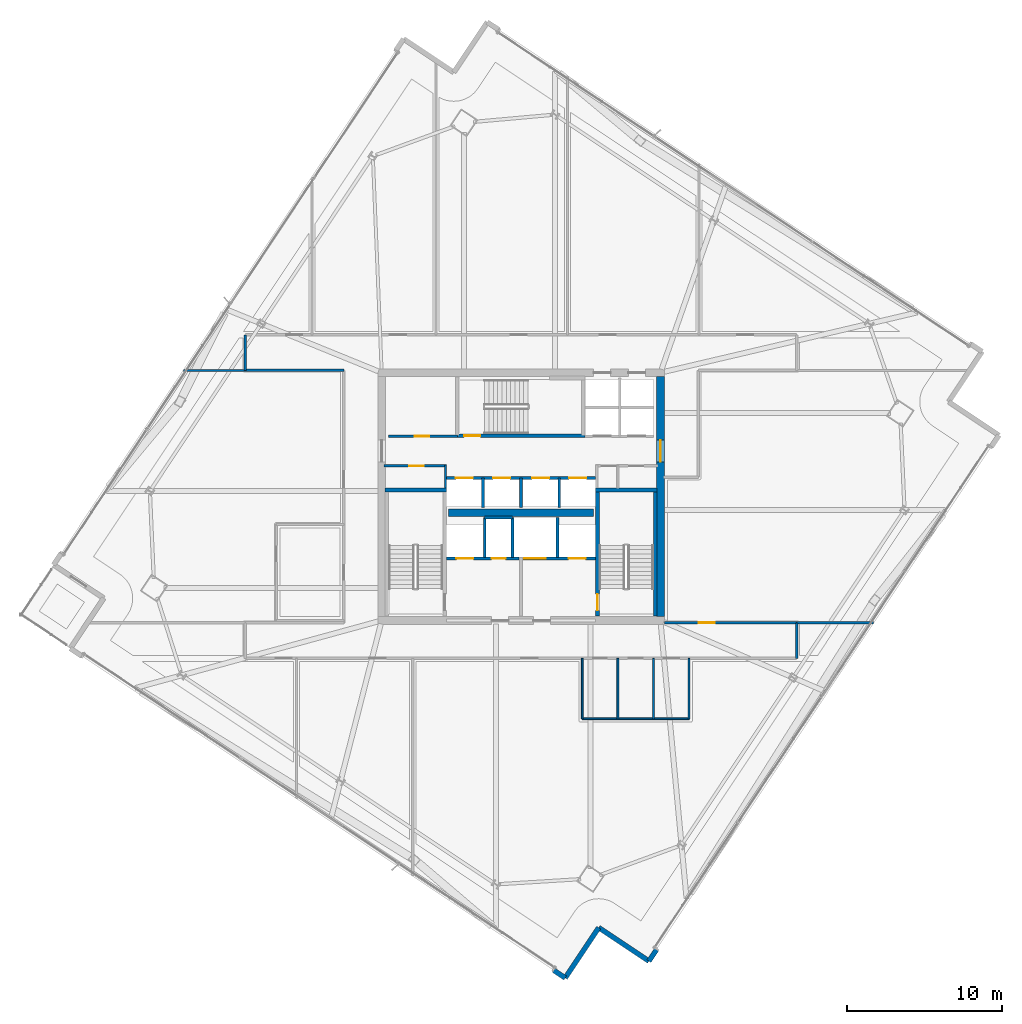
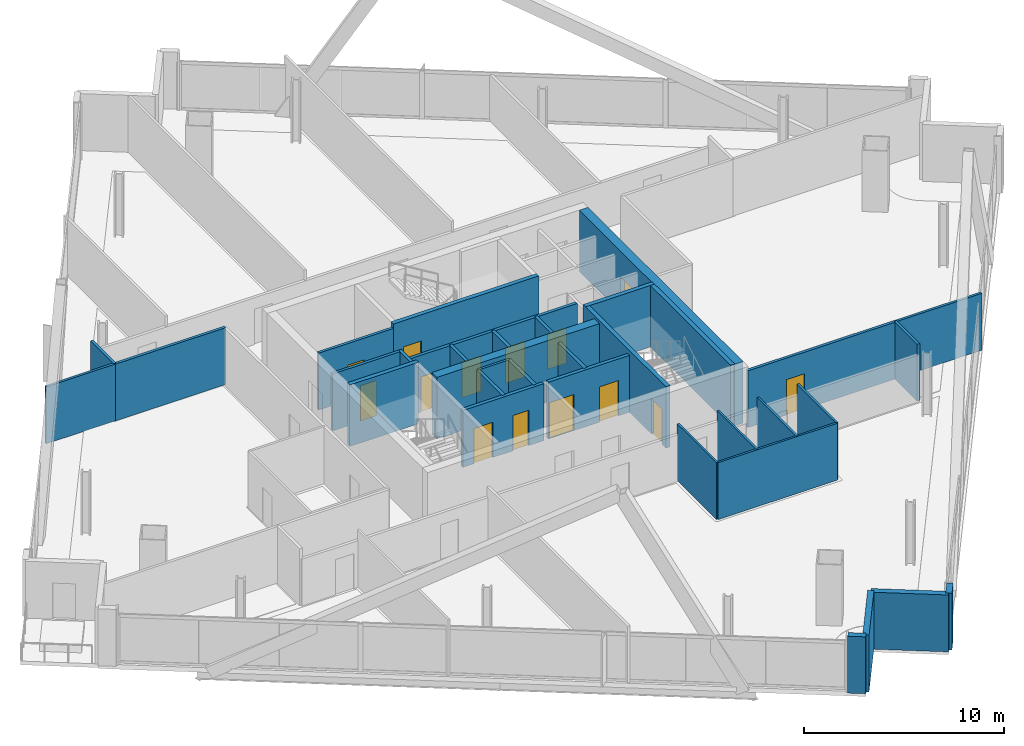
# One storey, part 25 of 32: 35 walls, 14 doors, 14 openings.
"""IFC4 building model written with IfcOpenShell, lengths in metres."""

from ifc_helpers import new_model, si_unit, direction, frame, frame_2d, origin, place, context, subcontext, project, spatial, rectangle, extrude, material, layer, layer_set, type_object, element, fill, save


model = new_model("IFC4")

# Units and contexts
model_context = context("Model", 3, precision=1e-05, world=origin(), true_north=direction((0.0, 1.0)))
body_context = subcontext(model_context, "Body", "Model", "MODEL_VIEW")
ifc_project = project(units=[si_unit("LENGTHUNIT", "METRE"), si_unit("AREAUNIT", "SQUARE_METRE"), si_unit("VOLUMEUNIT", "CUBIC_METRE"), si_unit("PLANEANGLEUNIT", "RADIAN"), si_unit("MASSUNIT", "GRAM", prefix="KILO")], contexts=[model_context])

# Site, building, storey
site_placement = place(None, origin())
site = spatial("IfcSite", under=ifc_project, at=site_placement, CompositionType="ELEMENT")
building_placement = place(site_placement, origin())
building = spatial("IfcBuilding", under=site, at=building_placement, Name="Haldenkirk Collegiate Tower", CompositionType="ELEMENT")
storey_placement = place(building_placement, frame((0.0, 0.0, 217.199951171875)))
storey = spatial("IfcBuildingStorey", under=building, at=storey_placement, Name="L54", CompositionType="ELEMENT", Elevation=217.199951171875)

# Wall, opening, door
ifc_material_1 = material(Name="Concrete f'c 55 MPa", Category="concrete")
ifc_layer_1 = layer(ifc_material_1, 0.5)
ifc_layer_set_1 = layer_set([ifc_layer_1], Name="Concrete f'c 55 MPa")
wall_type_1 = type_object("IfcWallType", Name="WL-CORE-500", PredefinedType="SHEAR", material=ifc_layer_set_1)
wall_1_placement = place(storey_placement, frame((45.0, 18.25, 0.0), z_axis=(0.0, 0.0, 1.0), x_axis=(0.0, 1.0, 0.0)))
wall_1 = element("IfcWall", 1, at=wall_1_placement, inside=storey, type_object=wall_type_1, Name="L54 central core shear wall E", PredefinedType="SHEAR", context=body_context, shape_type="SweptSolid", body=[
    extrude(rectangle(XDim=15.5, YDim=0.5, at=frame_2d((7.75, 0.0))), origin(), (0.0, 0.0, 1.0), 3.75),
])
opening_1_placement = place(wall_1_placement, frame((9.989990234375, 0.0, 0.0)))
opening_1 = element("IfcOpeningElement", 2, at=opening_1_placement, cuts=wall_1, Name="Opening D-03", PredefinedType="OPENING", context=body_context, shape_type="SweptSolid", body=[
    extrude(rectangle(XDim=1.39990234375, YDim=2.199951171875, at=frame_2d((0.699951171875, 1.10009765625))), frame((0.0, 0.260009765625, 0.0), z_axis=(0.0, -1.0, 0.0), x_axis=(1.0, 0.0, 0.0)), (0.0, 0.0, 1.0), 0.52001953125),
])
ifc_material_2 = material(Name="Galvanized fire-rated hollow steel door", Category="steel")
ifc_layer_2 = layer(ifc_material_2, 0.06005859375)
ifc_layer_set_2 = layer_set([ifc_layer_2], Name="Galvanized fire-rated hollow steel door")
door_type_1 = type_object("IfcDoorType", Name="DR-LOBBY-FD90-1400", OperationType="NOTDEFINED", PredefinedType="DOOR", material=ifc_layer_set_2)
door_1_placement = place(opening_1_placement, origin())
door_1 = element("IfcDoor", 3, at=door_1_placement, inside=storey, type_object=door_type_1, Name="L54 east lift lobby portal", OperationType="DOUBLE_DOOR_SINGLE_SWING", OverallHeight=2.199951171875, OverallWidth=1.39990234375, PredefinedType="DOOR", context=body_context, shape_type="SweptSolid", body=[
    extrude(rectangle(XDim=1.39990234375, YDim=2.199951171875, at=frame_2d((0.699951171875, 1.10009765625))), frame((0.0, 0.02490234375, 0.0), z_axis=(0.0, -1.0, 0.0), x_axis=(1.0, 0.0, 0.0)), (0.0, 0.0, 1.0), 0.050048828125),
])
fill(opening_1, door_1)

# Walls
wall_2_placement = place(storey_placement, frame((31.31005859375, 24.949951171875, 0.0), z_axis=(0.0, 0.0, 1.0), x_axis=(1.0, 0.0, 0.0)))
element("IfcWall", 4, at=wall_2_placement, inside=storey, type_object=wall_type_1, Name="L54 central core spine shear wall", PredefinedType="SHEAR", context=body_context, shape_type="SweptSolid", body=[
    extrude(rectangle(XDim=9.3798828125, YDim=0.5, at=frame_2d((4.68994140625, 0.0))), origin(), (0.0, 0.0, 1.0), 3.75),
])
ifc_material_3 = material(Name="Precast concrete f'c 40 MPa", Category="concrete")
ifc_layer_3 = layer(ifc_material_3, 0.320068359375)
ifc_layer_set_3 = layer_set([ifc_layer_3], Name="Precast concrete f'c 40 MPa")
wall_type_2 = type_object("IfcWallType", Name="WL-EXT-TWR-320", PredefinedType="STANDARD", material=ifc_layer_set_3)
for number, where, z_axis, x_axis, name in (
    (5, (44.757080078125, -3.25439453125, 0.0), (0.0, 0.0, 1.0), (-0.554261868623, -0.832342346028, 0.0), "L54 precast corner pier SR"),
    (6, (38.8505859375, -5.089111328125, 0.0), (0.0, 0.0, 1.0), (-0.832342346028, 0.554261868623, 0.0), "L54 precast corner pier WL"),
):
    element("IfcWall", number, at=place(storey_placement, frame(where, z_axis=z_axis, x_axis=x_axis)), inside=storey, type_object=wall_type_2, Name=name, PredefinedType="STANDARD", context=body_context, shape_type="SweptSolid", body=[
        extrude(rectangle(XDim=0.89990234375, YDim=0.320068359375, at=frame_2d((0.449951171875, 0.0))), origin(), (0.0, 0.0, 1.0), 3.469970703125),
    ])
wall_3_placement = place(storey_placement, frame((41.01171875, -1.842529296875, 0.0), z_axis=(0.0, 0.0, 1.0), x_axis=(-0.554122229834, -0.832435315447, 0.0)))
element("IfcWall", 7, at=wall_3_placement, inside=storey, type_object=wall_type_2, Name="L54 bronze precast notch wall 11", PredefinedType="STANDARD", context=body_context, shape_type="SweptSolid", body=[
    extrude(rectangle(XDim=3.900146484375, YDim=0.320068359375, at=frame_2d((1.9501953125, 0.0))), origin(), (0.0, 0.0, 1.0), 3.469970703125),
])
wall_4_placement = place(storey_placement, frame((44.25830078125, -4.00341796875, 0.0), z_axis=(0.0, 0.0, 1.0), x_axis=(-0.832464190202, 0.554078850013, 0.0)))
element("IfcWall", 8, at=wall_4_placement, inside=storey, type_object=wall_type_2, Name="L54 bronze precast notch wall 12", PredefinedType="STANDARD", context=body_context, shape_type="SweptSolid", body=[
    extrude(rectangle(XDim=3.89990234375, YDim=0.320068359375, at=frame_2d((1.949951171875, 0.0))), origin(), (0.0, 0.0, 1.0), 3.469970703125),
])

# Wall, opening, door
ifc_material_4 = material(Name="Acoustic fire-rated gypsum partition", Category="concrete")
ifc_layer_4 = layer(ifc_material_4, 0.159912109375)
ifc_layer_set_4 = layer_set([ifc_layer_4], Name="Acoustic fire-rated gypsum partition")
wall_type_3 = type_object("IfcWallType", Name="WL-INT-CORR-160", PredefinedType="PARTITIONING", material=ifc_layer_set_4)
wall_5_placement = place(storey_placement, frame((27.14990234375, 27.97998046875, 0.0), z_axis=(0.0, 0.0, 1.0), x_axis=(1.0, 0.0, 0.0)))
wall_5 = element("IfcWall", 9, at=wall_5_placement, inside=storey, type_object=wall_type_3, Name="L54 interior partition IW-L54-VCSW-N", PredefinedType="PARTITIONING", context=body_context, shape_type="SweptSolid", body=[
    extrude(rectangle(XDim=4.050048828125, YDim=0.159912109375, at=frame_2d((2.02490234375, 0.0))), origin(), (0.0, 0.0, 1.0), 3.469970703125),
])
opening_2_placement = place(wall_5_placement, frame((1.625, 0.0, 0.0)))
opening_2 = element("IfcOpeningElement", 10, at=opening_2_placement, cuts=wall_5, Name="Opening D-10", PredefinedType="OPENING", context=body_context, shape_type="SweptSolid", body=[
    extrude(rectangle(XDim=0.949951171875, YDim=2.14990234375, at=frame_2d((0.47509765625, 1.074951171875))), frame((0.0, 0.08984375, 0.0), z_axis=(0.0, -1.0, 0.0), x_axis=(1.0, 0.0, 0.0)), (0.0, 0.0, 1.0), 0.179931640625),
])
ifc_material_5 = material(Name="Solid-core architectural oak fire door", Category="wood")
ifc_layer_5 = layer(ifc_material_5, 0.06005859375)
ifc_layer_set_5 = layer_set([ifc_layer_5], Name="Solid-core architectural oak fire door")
door_type_2 = type_object("IfcDoorType", Name="DR-INT-FD60-950", OperationType="NOTDEFINED", PredefinedType="DOOR", material=ifc_layer_set_5)
door_2_placement = place(opening_2_placement, origin())
door_2 = element("IfcDoor", 11, at=door_2_placement, inside=storey, type_object=door_type_2, Name="L54 core tea pantry door", OperationType="SINGLE_SWING_LEFT", OverallHeight=2.14990234375, OverallWidth=0.949951171875, PredefinedType="DOOR", context=body_context, shape_type="SweptSolid", body=[
    extrude(rectangle(XDim=0.949951171875, YDim=2.14990234375, at=frame_2d((0.47509765625, 1.074951171875))), frame((0.0, 0.02490234375, 0.0), z_axis=(0.0, -1.0, 0.0), x_axis=(1.0, 0.0, 0.0)), (0.0, 0.0, 1.0), 0.050048828125),
])
fill(opening_2, door_2)

# Wall
wall_6_placement = place(storey_placement, frame((31.1201171875, 26.5400390625, 0.0), z_axis=(0.0, 0.0, 1.0), x_axis=(0.0, 1.0, 0.0)))
element("IfcWall", 12, at=wall_6_placement, inside=storey, type_object=wall_type_3, Name="L54 interior partition IW-L54-VCSW-E", PredefinedType="PARTITIONING", context=body_context, shape_type="SweptSolid", body=[
    extrude(rectangle(XDim=1.510009765625, YDim=0.159912109375, at=frame_2d((0.7548828125, 0.0))), origin(), (0.0, 0.0, 1.0), 3.469970703125),
])

# Wall, opening, door
wall_7_placement = place(storey_placement, frame((27.449951171875, 29.89990234375, 0.0), z_axis=(0.0, 0.0, 1.0), x_axis=(1.0, 0.0, 0.0)))
wall_7 = element("IfcWall", 13, at=wall_7_placement, inside=storey, type_object=wall_type_3, Name="L54 interior partition IW-L54-PLS", PredefinedType="PARTITIONING", context=body_context, shape_type="SweptSolid", body=[
    extrude(rectangle(XDim=4.429931640625, YDim=0.159912109375, at=frame_2d((2.21484375, 0.0))), origin(), (0.0, 0.0, 1.0), 3.469970703125),
])
opening_3_placement = place(wall_7_placement, frame((1.675048828125, 0.0, 0.0)))
opening_3 = element("IfcOpeningElement", 14, at=opening_3_placement, cuts=wall_7, Name="Opening D-10", PredefinedType="OPENING", context=body_context, shape_type="SweptSolid", body=[
    extrude(rectangle(XDim=0.949951171875, YDim=2.14990234375, at=frame_2d((0.47509765625, 1.074951171875))), frame((0.0, 0.08984375, 0.0), z_axis=(0.0, -1.0, 0.0), x_axis=(1.0, 0.0, 0.0)), (0.0, 0.0, 1.0), 0.179931640625),
])
door_3_placement = place(opening_3_placement, origin())
door_3 = element("IfcDoor", 15, at=door_3_placement, inside=storey, type_object=door_type_2, Name="L54 archive door", OperationType="SINGLE_SWING_RIGHT", OverallHeight=2.14990234375, OverallWidth=0.949951171875, PredefinedType="DOOR", context=body_context, shape_type="SweptSolid", body=[
    extrude(rectangle(XDim=0.949951171875, YDim=2.14990234375, at=frame_2d((0.47509765625, 1.074951171875))), frame((0.0, 0.02490234375, 0.0), z_axis=(0.0, -1.0, 0.0), x_axis=(1.0, 0.0, 0.0)), (0.0, 0.0, 1.0), 0.050048828125),
])
fill(opening_3, door_3)

wall_8_placement = place(storey_placement, frame((45.25, 17.85009765625, 0.0), z_axis=(0.0, 0.0, 1.0), x_axis=(1.0, 0.0, 0.0)))
wall_8 = element("IfcWall", 16, at=wall_8_placement, inside=storey, type_object=wall_type_3, Name="L54 interior partition IW-L54-CSE", PredefinedType="PARTITIONING", context=body_context, shape_type="SweptSolid", body=[
    extrude(rectangle(XDim=8.550048828125, YDim=0.159912109375, at=frame_2d((4.27490234375, 0.0))), origin(), (0.0, 0.0, 1.0), 3.469970703125),
])
opening_4_placement = place(wall_8_placement, frame((2.2109375, 0.0, 0.0)))
opening_4 = element("IfcOpeningElement", 17, at=opening_4_placement, cuts=wall_8, Name="Opening D-09", PredefinedType="OPENING", context=body_context, shape_type="SweptSolid", body=[
    extrude(rectangle(XDim=1.050048828125, YDim=2.14990234375, at=frame_2d((0.52490234375, 1.074951171875))), frame((0.0, 0.08984375, 0.0), z_axis=(0.0, -1.0, 0.0), x_axis=(1.0, 0.0, 0.0)), (0.0, 0.0, 1.0), 0.179931640625),
])
ifc_layer_6 = layer(ifc_material_5, 0.06005859375)
ifc_layer_set_6 = layer_set([ifc_layer_6], Name="Solid-core architectural oak fire door")
door_type_3 = type_object("IfcDoorType", Name="DR-INT-FD60-1050", OperationType="NOTDEFINED", PredefinedType="DOOR", material=ifc_layer_set_6)
door_4_placement = place(opening_4_placement, origin())
door_4 = element("IfcDoor", 18, at=door_4_placement, inside=storey, type_object=door_type_3, Name="L54 Graduate Seminar Room 10 door", OperationType="SINGLE_SWING_LEFT", OverallHeight=2.14990234375, OverallWidth=1.050048828125, PredefinedType="DOOR", context=body_context, shape_type="SweptSolid", body=[
    extrude(rectangle(XDim=1.050048828125, YDim=2.14990234375, at=frame_2d((0.52490234375, 1.074951171875))), frame((0.0, 0.02490234375, 0.0), z_axis=(0.0, -1.0, 0.0), x_axis=(1.0, 0.0, 0.0)), (0.0, 0.0, 1.0), 0.050048828125),
])
fill(opening_4, door_4)

# Walls
wall_9_placement = place(storey_placement, frame((18.199951171875, 34.14990234375, 0.0), z_axis=(0.0, 0.0, 1.0), x_axis=(1.0, 0.0, 0.0)))
element("IfcWall", 19, at=wall_9_placement, inside=storey, type_object=wall_type_3, Name="L54 interior partition IW-L54-CNW", PredefinedType="PARTITIONING", context=body_context, shape_type="SweptSolid", body=[
    extrude(rectangle(XDim=6.35009765625, YDim=0.159912109375, at=frame_2d((3.175048828125, 0.0))), origin(), (0.0, 0.0, 1.0), 3.469970703125),
])
for number, where, z_axis, x_axis, name in (
    (20, (53.800048828125, 15.550048828125, 0.0), (0.0, 0.0, 1.0), (0.0, 1.0, 0.0), "L54 interior partition IW-L54-CSR"),
    (21, (18.199951171875, 34.14990234375, 0.0), (0.0, 0.0, 1.0), (0.0, 1.0, 0.0), "L54 interior partition IW-L54-CNL"),
):
    element("IfcWall", number, at=place(storey_placement, frame(where, z_axis=z_axis, x_axis=x_axis)), inside=storey, type_object=wall_type_3, Name=name, PredefinedType="PARTITIONING", context=body_context, shape_type="SweptSolid", body=[
        extrude(rectangle(XDim=2.300048828125, YDim=0.159912109375, at=frame_2d((1.14990234375, 0.0))), origin(), (0.0, 0.0, 1.0), 3.469970703125),
    ])
ifc_layer_7 = layer(ifc_material_4, 0.139892578125)
ifc_layer_set_7 = layer_set([ifc_layer_7], Name="Acoustic fire-rated gypsum partition")
wall_type_4 = type_object("IfcWallType", Name="WL-INT-DIV-140", PredefinedType="PARTITIONING", material=ifc_layer_set_7)
wall_10_placement = place(storey_placement, frame((14.203857421875, 34.14990234375, 0.0), z_axis=(0.0, 0.0, 1.0), x_axis=(1.0, 0.0, 0.0)))
element("IfcWall", 22, at=wall_10_placement, inside=storey, type_object=wall_type_4, Name="L54 interior partition IW-L54-BWN", PredefinedType="PARTITIONING", context=body_context, shape_type="SweptSolid", body=[
    extrude(rectangle(XDim=3.99609375, YDim=0.139892578125, at=frame_2d((1.998046875, 0.0))), origin(), (0.0, 0.0, 1.0), 3.469970703125),
])
wall_11_placement = place(storey_placement, frame((53.800048828125, 17.85009765625, 0.0), z_axis=(0.0, 0.0, 1.0), x_axis=(1.0, 0.0, 0.0)))
element("IfcWall", 23, at=wall_11_placement, inside=storey, type_object=wall_type_4, Name="L54 interior partition IW-L54-BES", PredefinedType="PARTITIONING", context=body_context, shape_type="SweptSolid", body=[
    extrude(rectangle(XDim=4.95703125, YDim=0.139892578125, at=frame_2d((2.478515625, 0.0))), origin(), (0.0, 0.0, 1.0), 3.469970703125),
])
ifc_material_6 = material(Name="Fire-rated gypsum shaftboard assembly", Category="concrete")
ifc_layer_8 = layer(ifc_material_6, 0.179931640625)
ifc_layer_set_8 = layer_set([ifc_layer_8], Name="Fire-rated gypsum shaftboard assembly")
wall_type_5 = type_object("IfcWallType", Name="WL-INT-SHAFT-180", PredefinedType="PARTITIONING", material=ifc_layer_set_8)
for number, where, z_axis, x_axis, name in (
    (24, (33.64990234375, 22.050048828125, 0.0), (0.0, 0.0, 1.0), (0.0, 1.0, 0.0), "L54 interior partition IW-L54-FL1E"),
    (25, (35.449951171875, 22.050048828125, 0.0), (0.0, 0.0, 1.0), (0.0, 1.0, 0.0), "L54 interior partition IW-L54-GL1W"),
):
    element("IfcWall", number, at=place(storey_placement, frame(where, z_axis=z_axis, x_axis=x_axis)), inside=storey, type_object=wall_type_5, Name=name, PredefinedType="PARTITIONING", context=body_context, shape_type="SweptSolid", body=[
        extrude(rectangle(XDim=2.599853515625, YDim=0.179931640625, at=frame_2d((1.2998046875, 0.0))), origin(), (0.0, 0.0, 1.0), 3.469970703125),
    ])
wall_12_placement = place(storey_placement, frame((33.64990234375, 24.64990234375, 0.0), z_axis=(0.0, 0.0, 1.0), x_axis=(1.0, 0.0, 0.0)))
element("IfcWall", 26, at=wall_12_placement, inside=storey, type_object=wall_type_5, Name="L54 interior partition IW-L54-RSRN", PredefinedType="PARTITIONING", context=body_context, shape_type="SweptSolid", body=[
    extrude(rectangle(XDim=1.800048828125, YDim=0.179931640625, at=frame_2d((0.89990234375, 0.0))), origin(), (0.0, 0.0, 1.0), 3.469970703125),
])
wall_13_placement = place(storey_placement, frame((38.35009765625, 22.050048828125, 0.0), z_axis=(0.0, 0.0, 1.0), x_axis=(0.0, 1.0, 0.0)))
element("IfcWall", 27, at=wall_13_placement, inside=storey, type_object=wall_type_5, Name="L54 interior partition IW-L54-GL1E", PredefinedType="PARTITIONING", context=body_context, shape_type="SweptSolid", body=[
    extrude(rectangle(XDim=2.599853515625, YDim=0.179931640625, at=frame_2d((1.2998046875, 0.0))), origin(), (0.0, 0.0, 1.0), 3.469970703125),
])

# Wall, openings, doors
wall_14_placement = place(storey_placement, frame((31.199951171875, 27.199951171875, 0.0), z_axis=(0.0, 0.0, 1.0), x_axis=(1.0, 0.0, 0.0)))
wall_14 = element("IfcWall", 28, at=wall_14_placement, inside=storey, type_object=wall_type_5, Name="L54 interior partition IW-L54-PHN", PredefinedType="PARTITIONING", context=body_context, shape_type="SweptSolid", body=[
    extrude(rectangle(XDim=9.60009765625, YDim=0.179931640625, at=frame_2d((4.800048828125, 0.0))), origin(), (0.0, 0.0, 1.0), 3.469970703125),
])
opening_5_placement = place(wall_14_placement, frame((0.590087890625, 0.0, 0.0)))
opening_5 = element("IfcOpeningElement", 29, at=opening_5_placement, cuts=wall_14, Name="Opening LD-11", PredefinedType="OPENING", context=body_context, shape_type="SweptSolid", body=[
    extrude(rectangle(XDim=1.10009765625, YDim=2.14990234375, at=frame_2d((0.550048828125, 1.074951171875))), frame((0.0, 0.099853515625, 0.0), z_axis=(0.0, -1.0, 0.0), x_axis=(1.0, 0.0, 0.0)), (0.0, 0.0, 1.0), 0.199951171875),
])
opening_6_placement = place(wall_14_placement, frame((2.989990234375, 0.0, 0.0)))
opening_6 = element("IfcOpeningElement", 30, at=opening_6_placement, cuts=wall_14, Name="Opening LD-11", PredefinedType="OPENING", context=body_context, shape_type="SweptSolid", body=[
    extrude(rectangle(XDim=1.10009765625, YDim=2.14990234375, at=frame_2d((0.550048828125, 1.074951171875))), frame((0.0, 0.099853515625, 0.0), z_axis=(0.0, -1.0, 0.0), x_axis=(1.0, 0.0, 0.0)), (0.0, 0.0, 1.0), 0.199951171875),
])
opening_7_placement = place(wall_14_placement, frame((5.510009765625, 0.0, 0.0)))
opening_7 = element("IfcOpeningElement", 31, at=opening_7_placement, cuts=wall_14, Name="Opening LD-11", PredefinedType="OPENING", context=body_context, shape_type="SweptSolid", body=[
    extrude(rectangle(XDim=1.10009765625, YDim=2.14990234375, at=frame_2d((0.550048828125, 1.074951171875))), frame((0.0, 0.099853515625, 0.0), z_axis=(0.0, -1.0, 0.0), x_axis=(1.0, 0.0, 0.0)), (0.0, 0.0, 1.0), 0.199951171875),
])
opening_8_placement = place(wall_14_placement, frame((7.909912109375, 0.0, 0.0)))
opening_8 = element("IfcOpeningElement", 32, at=opening_8_placement, cuts=wall_14, Name="Opening LD-11", PredefinedType="OPENING", context=body_context, shape_type="SweptSolid", body=[
    extrude(rectangle(XDim=1.10009765625, YDim=2.14990234375, at=frame_2d((0.550048828125, 1.074951171875))), frame((0.0, 0.099853515625, 0.0), z_axis=(0.0, -1.0, 0.0), x_axis=(1.0, 0.0, 0.0)), (0.0, 0.0, 1.0), 0.199951171875),
])
ifc_material_7 = material(Name="Brushed architectural stainless steel", Category="steel")
ifc_layer_9 = layer(ifc_material_7, 0.06005859375)
ifc_layer_set_9 = layer_set([ifc_layer_9], Name="Brushed architectural stainless steel")
door_type_4 = type_object("IfcDoorType", Name="LD-PASS-1100", OperationType="NOTDEFINED", PredefinedType="DOOR", material=ifc_layer_set_9)
door_5_placement = place(opening_5_placement, origin())
door_5 = element("IfcDoor", 33, at=door_5_placement, inside=storey, type_object=door_type_4, Name="L54 Elevator PH1 sliding landing door", OperationType="SLIDING_TO_LEFT", OverallHeight=2.14990234375, OverallWidth=1.10009765625, PredefinedType="DOOR", context=body_context, shape_type="SweptSolid", body=[
    extrude(rectangle(XDim=1.10009765625, YDim=2.14990234375, at=frame_2d((0.550048828125, 1.074951171875))), frame((0.0, 0.02490234375, 0.0), z_axis=(0.0, -1.0, 0.0), x_axis=(1.0, 0.0, 0.0)), (0.0, 0.0, 1.0), 0.050048828125),
])
fill(opening_5, door_5)
door_6_placement = place(opening_6_placement, origin())
door_6 = element("IfcDoor", 34, at=door_6_placement, inside=storey, type_object=door_type_4, Name="L54 Elevator PH2 sliding landing door", OperationType="SLIDING_TO_LEFT", OverallHeight=2.14990234375, OverallWidth=1.10009765625, PredefinedType="DOOR", context=body_context, shape_type="SweptSolid", body=[
    extrude(rectangle(XDim=1.10009765625, YDim=2.14990234375, at=frame_2d((0.550048828125, 1.074951171875))), frame((0.0, 0.02490234375, 0.0), z_axis=(0.0, -1.0, 0.0), x_axis=(1.0, 0.0, 0.0)), (0.0, 0.0, 1.0), 0.050048828125),
])
fill(opening_6, door_6)
door_7_placement = place(opening_7_placement, origin())
door_7 = element("IfcDoor", 35, at=door_7_placement, inside=storey, type_object=door_type_4, Name="L54 Elevator PH3 sliding landing door", OperationType="SLIDING_TO_LEFT", OverallHeight=2.14990234375, OverallWidth=1.10009765625, PredefinedType="DOOR", context=body_context, shape_type="SweptSolid", body=[
    extrude(rectangle(XDim=1.10009765625, YDim=2.14990234375, at=frame_2d((0.550048828125, 1.074951171875))), frame((0.0, 0.02490234375, 0.0), z_axis=(0.0, -1.0, 0.0), x_axis=(1.0, 0.0, 0.0)), (0.0, 0.0, 1.0), 0.050048828125),
])
fill(opening_7, door_7)
door_8_placement = place(opening_8_placement, origin())
door_8 = element("IfcDoor", 36, at=door_8_placement, inside=storey, type_object=door_type_4, Name="L54 Elevator PH4 sliding landing door", OperationType="SLIDING_TO_LEFT", OverallHeight=2.14990234375, OverallWidth=1.10009765625, PredefinedType="DOOR", context=body_context, shape_type="SweptSolid", body=[
    extrude(rectangle(XDim=1.10009765625, YDim=2.14990234375, at=frame_2d((0.550048828125, 1.074951171875))), frame((0.0, 0.02490234375, 0.0), z_axis=(0.0, -1.0, 0.0), x_axis=(1.0, 0.0, 0.0)), (0.0, 0.0, 1.0), 0.050048828125),
])
fill(opening_8, door_8)

# Walls
for number, where, z_axis, x_axis, name in (
    (37, (33.5400390625, 25.300048828125, 0.0), (0.0, 0.0, 1.0), (0.0, 1.0, 0.0), "L54 interior partition IW-L54-PHV1"),
    (38, (36.0, 25.300048828125, 0.0), (0.0, 0.0, 1.0), (0.0, 1.0, 0.0), "L54 interior partition IW-L54-PHV2"),
    (39, (38.4599609375, 25.300048828125, 0.0), (0.0, 0.0, 1.0), (0.0, 1.0, 0.0), "L54 interior partition IW-L54-PHV3"),
):
    element("IfcWall", number, at=place(storey_placement, frame(where, z_axis=z_axis, x_axis=x_axis)), inside=storey, type_object=wall_type_5, Name=name, PredefinedType="PARTITIONING", context=body_context, shape_type="SweptSolid", body=[
        extrude(rectangle(XDim=1.89990234375, YDim=0.179931640625, at=frame_2d((0.949951171875, 0.0))), origin(), (0.0, 0.0, 1.0), 3.469970703125),
    ])

# Wall, openings, doors
ifc_layer_10 = layer(ifc_material_6, 0.199951171875)
ifc_layer_set_10 = layer_set([ifc_layer_10], Name="Fire-rated gypsum shaftboard assembly")
wall_type_6 = type_object("IfcWallType", Name="WL-INT-SHAFT-200", PredefinedType="PARTITIONING", material=ifc_layer_set_10)
wall_15_placement = place(storey_placement, frame((31.18994140625, 22.0, 0.0), z_axis=(0.0, 0.0, 1.0), x_axis=(1.0, 0.0, 0.0)))
wall_15 = element("IfcWall", 40, at=wall_15_placement, inside=storey, type_object=wall_type_6, Name="L54 interior partition IW-L54-FFL1N", PredefinedType="PARTITIONING", context=body_context, shape_type="SweptSolid", body=[
    extrude(rectangle(XDim=4.68994140625, YDim=0.199951171875, at=frame_2d((2.344970703125, 0.0))), origin(), (0.0, 0.0, 1.0), 3.469970703125),
])
opening_9_placement = place(wall_15_placement, frame((2.909912109375, 0.0, 0.0)))
opening_9 = element("IfcOpeningElement", 41, at=opening_9_placement, cuts=wall_15, Name="Opening D-06", PredefinedType="OPENING", context=body_context, shape_type="SweptSolid", body=[
    extrude(rectangle(XDim=0.89990234375, YDim=2.14990234375, at=frame_2d((0.449951171875, 1.074951171875))), frame((0.0, 0.10986328125, 0.0), z_axis=(0.0, -1.0, 0.0), x_axis=(1.0, 0.0, 0.0)), (0.0, 0.0, 1.0), 0.219970703125),
])
opening_10_placement = place(wall_15_placement, frame((0.635009765625, 0.0, 0.0)))
opening_10 = element("IfcOpeningElement", 42, at=opening_10_placement, cuts=wall_15, Name="Opening LD-12", PredefinedType="OPENING", context=body_context, shape_type="SweptSolid", body=[
    extrude(rectangle(XDim=1.10009765625, YDim=2.14990234375, at=frame_2d((0.550048828125, 1.074951171875))), frame((0.0, 0.10986328125, 0.0), z_axis=(0.0, -1.0, 0.0), x_axis=(1.0, 0.0, 0.0)), (0.0, 0.0, 1.0), 0.219970703125),
])
ifc_layer_11 = layer(ifc_material_2, 0.06005859375)
ifc_layer_set_11 = layer_set([ifc_layer_11], Name="Galvanized fire-rated hollow steel door")
door_type_5 = type_object("IfcDoorType", Name="DR-INT-FD90-900", OperationType="NOTDEFINED", PredefinedType="DOOR", material=ifc_layer_set_11)
door_9_placement = place(opening_9_placement, origin())
door_9 = element("IfcDoor", 43, at=door_9_placement, inside=storey, type_object=door_type_5, Name="L54 electrical riser door", OperationType="SINGLE_SWING_RIGHT", OverallHeight=2.14990234375, OverallWidth=0.89990234375, PredefinedType="DOOR", context=body_context, shape_type="SweptSolid", body=[
    extrude(rectangle(XDim=0.89990234375, YDim=2.14990234375, at=frame_2d((0.449951171875, 1.074951171875))), frame((0.0, 0.02490234375, 0.0), z_axis=(0.0, -1.0, 0.0), x_axis=(1.0, 0.0, 0.0)), (0.0, 0.0, 1.0), 0.050048828125),
])
fill(opening_9, door_9)
ifc_layer_12 = layer(ifc_material_7, 0.06005859375)
ifc_layer_set_12 = layer_set([ifc_layer_12], Name="Brushed architectural stainless steel")
door_type_6 = type_object("IfcDoorType", Name="LD-FIRE-1100", OperationType="NOTDEFINED", PredefinedType="DOOR", material=ifc_layer_set_12)
door_10_placement = place(opening_10_placement, origin())
door_10 = element("IfcDoor", 44, at=door_10_placement, inside=storey, type_object=door_type_6, Name="L54 Elevator FL1 sliding landing door", OperationType="SLIDING_TO_LEFT", OverallHeight=2.14990234375, OverallWidth=1.10009765625, PredefinedType="DOOR", context=body_context, shape_type="SweptSolid", body=[
    extrude(rectangle(XDim=1.10009765625, YDim=2.14990234375, at=frame_2d((0.550048828125, 1.074951171875))), frame((0.0, 0.02490234375, 0.0), z_axis=(0.0, -1.0, 0.0), x_axis=(1.0, 0.0, 0.0)), (0.0, 0.0, 1.0), 0.050048828125),
])
fill(opening_10, door_10)

wall_16_placement = place(storey_placement, frame((36.1201171875, 22.0, 0.0), z_axis=(0.0, 0.0, 1.0), x_axis=(1.0, 0.0, 0.0)))
wall_16 = element("IfcWall", 45, at=wall_16_placement, inside=storey, type_object=wall_type_6, Name="L54 interior partition IW-L54-FFL2N", PredefinedType="PARTITIONING", context=body_context, shape_type="SweptSolid", body=[
    extrude(rectangle(XDim=4.68994140625, YDim=0.199951171875, at=frame_2d((2.344970703125, 0.0))), origin(), (0.0, 0.0, 1.0), 3.469970703125),
])
opening_11_placement = place(wall_16_placement, frame((2.955078125, 0.0, 0.0)))
opening_11 = element("IfcOpeningElement", 46, at=opening_11_placement, cuts=wall_16, Name="Opening LD-12", PredefinedType="OPENING", context=body_context, shape_type="SweptSolid", body=[
    extrude(rectangle(XDim=1.10009765625, YDim=2.14990234375, at=frame_2d((0.550048828125, 1.074951171875))), frame((0.0, 0.10986328125, 0.0), z_axis=(0.0, -1.0, 0.0), x_axis=(1.0, 0.0, 0.0)), (0.0, 0.0, 1.0), 0.219970703125),
])
opening_12_placement = place(wall_16_placement, frame((0.080078125, 0.0, 0.0)))
opening_12 = element("IfcOpeningElement", 47, at=opening_12_placement, cuts=wall_16, Name="Opening LD-13", PredefinedType="OPENING", context=body_context, shape_type="SweptSolid", body=[
    extrude(rectangle(XDim=1.39990234375, YDim=2.199951171875, at=frame_2d((0.699951171875, 1.10009765625))), frame((0.0, 0.10986328125, 0.0), z_axis=(0.0, -1.0, 0.0), x_axis=(1.0, 0.0, 0.0)), (0.0, 0.0, 1.0), 0.219970703125),
])
door_11_placement = place(opening_11_placement, origin())
door_11 = element("IfcDoor", 48, at=door_11_placement, inside=storey, type_object=door_type_6, Name="L54 Elevator FL2 sliding landing door", OperationType="SLIDING_TO_LEFT", OverallHeight=2.14990234375, OverallWidth=1.10009765625, PredefinedType="DOOR", context=body_context, shape_type="SweptSolid", body=[
    extrude(rectangle(XDim=1.10009765625, YDim=2.14990234375, at=frame_2d((0.550048828125, 1.074951171875))), frame((0.0, 0.02490234375, 0.0), z_axis=(0.0, -1.0, 0.0), x_axis=(1.0, 0.0, 0.0)), (0.0, 0.0, 1.0), 0.050048828125),
])
fill(opening_11, door_11)
ifc_layer_13 = layer(ifc_material_7, 0.06005859375)
ifc_layer_set_13 = layer_set([ifc_layer_13], Name="Brushed architectural stainless steel")
door_type_7 = type_object("IfcDoorType", Name="LD-GOODS-1400", OperationType="NOTDEFINED", PredefinedType="DOOR", material=ifc_layer_set_13)
door_12_placement = place(opening_12_placement, origin())
door_12 = element("IfcDoor", 49, at=door_12_placement, inside=storey, type_object=door_type_7, Name="L54 Elevator GL1 sliding landing door", OperationType="SLIDING_TO_LEFT", OverallHeight=2.199951171875, OverallWidth=1.39990234375, PredefinedType="DOOR", context=body_context, shape_type="SweptSolid", body=[
    extrude(rectangle(XDim=1.39990234375, YDim=2.199951171875, at=frame_2d((0.699951171875, 1.10009765625))), frame((0.0, 0.02490234375, 0.0), z_axis=(0.0, -1.0, 0.0), x_axis=(1.0, 0.0, 0.0)), (0.0, 0.0, 1.0), 0.050048828125),
])
fill(opening_12, door_12)

# Walls
ifc_layer_14 = layer(ifc_material_4, 0.1201171875)
ifc_layer_set_14 = layer_set([ifc_layer_14], Name="Acoustic fire-rated gypsum partition")
wall_type_7 = type_object("IfcWallType", Name="WL-INT-WET-120", PredefinedType="PARTITIONING", material=ifc_layer_set_14)
for number, where, z_axis, x_axis, name in (
    (50, (39.949951171875, 11.64990234375, 0.0), (0.0, 0.0, 1.0), (0.0, 1.0, 0.0), "L54 interior partition IW-L54-WCW"),
    (51, (42.25, 11.64990234375, 0.0), (0.0, 0.0, 1.0), (0.0, 1.0, 0.0), "L54 interior partition IW-L54-WC1"),
    (52, (44.550048828125, 11.64990234375, 0.0), (0.0, 0.0, 1.0), (0.0, 1.0, 0.0), "L54 interior partition IW-L54-WC2"),
    (53, (46.85009765625, 11.64990234375, 0.0), (0.0, 0.0, 1.0), (0.0, 1.0, 0.0), "L54 interior partition IW-L54-WCE"),
):
    element("IfcWall", number, at=place(storey_placement, frame(where, z_axis=z_axis, x_axis=x_axis)), inside=storey, type_object=wall_type_7, Name=name, PredefinedType="PARTITIONING", context=body_context, shape_type="SweptSolid", body=[
        extrude(rectangle(XDim=3.900146484375, YDim=0.1201171875, at=frame_2d((1.9501953125, 0.0))), origin(), (0.0, 0.0, 1.0), 3.469970703125),
    ])
wall_17_placement = place(storey_placement, frame((39.949951171875, 11.64990234375, 0.0), z_axis=(0.0, 0.0, 1.0), x_axis=(1.0, 0.0, 0.0)))
element("IfcWall", 54, at=wall_17_placement, inside=storey, type_object=wall_type_7, Name="L54 interior partition IW-L54-WCB", PredefinedType="PARTITIONING", context=body_context, shape_type="SweptSolid", body=[
    extrude(rectangle(XDim=6.900146484375, YDim=0.1201171875, at=frame_2d((3.4501953125, 0.0))), origin(), (0.0, 0.0, 1.0), 3.469970703125),
])
ifc_layer_15 = layer(ifc_material_1, 0.239990234375)
ifc_layer_set_15 = layer_set([ifc_layer_15], Name="Concrete f'c 55 MPa")
wall_type_8 = type_object("IfcWallType", Name="WL-SHAFT-240", PredefinedType="SHEAR", material=ifc_layer_set_15)
wall_18_placement = place(storey_placement, frame((27.2099609375, 26.419921875, 0.0), z_axis=(0.0, 0.0, 1.0), x_axis=(1.0, 0.0, 0.0)))
element("IfcWall", 55, at=wall_18_placement, inside=storey, type_object=wall_type_8, Name="L54 stair shaft shear wall SW-L54-ST1N", PredefinedType="SHEAR", context=body_context, shape_type="SweptSolid", body=[
    extrude(rectangle(XDim=3.97998046875, YDim=0.239990234375, at=frame_2d((1.989990234375, 0.0))), origin(), (0.0, 0.0, 1.0), 3.75),
])

# Wall, opening, door
wall_19_placement = place(storey_placement, frame((40.929931640625, 18.280029296875, 0.0), z_axis=(0.0, 0.0, 1.0), x_axis=(0.0, 1.0, 0.0)))
wall_19 = element("IfcWall", 56, at=wall_19_placement, inside=storey, type_object=wall_type_8, Name="L54 stair shaft shear wall SW-L54-ST2W", PredefinedType="SHEAR", context=body_context, shape_type="SweptSolid", body=[
    extrude(rectangle(XDim=8.260009765625, YDim=0.239990234375, at=frame_2d((4.1298828125, 0.0))), origin(), (0.0, 0.0, 1.0), 3.75),
])
opening_13_placement = place(wall_19_placement, frame((0.364990234375, 0.0, 0.0)))
opening_13 = element("IfcOpeningElement", 57, at=opening_13_placement, cuts=wall_19, Name="Opening D-01", PredefinedType="OPENING", context=body_context, shape_type="SweptSolid", body=[
    extrude(rectangle(XDim=1.050048828125, YDim=2.14990234375, at=frame_2d((0.52490234375, 1.074951171875))), frame((0.0, 0.1298828125, 0.0), z_axis=(0.0, -1.0, 0.0), x_axis=(1.0, 0.0, 0.0)), (0.0, 0.0, 1.0), 0.260009765625),
])
ifc_layer_16 = layer(ifc_material_2, 0.06005859375)
ifc_layer_set_16 = layer_set([ifc_layer_16], Name="Galvanized fire-rated hollow steel door")
door_type_8 = type_object("IfcDoorType", Name="DR-STAIR-FD90-1050", OperationType="NOTDEFINED", PredefinedType="DOOR", material=ifc_layer_set_16)
door_13_placement = place(opening_13_placement, origin())
door_13 = element("IfcDoor", 58, at=door_13_placement, inside=storey, type_object=door_type_8, Name="L54 Stair 2 door", OperationType="SINGLE_SWING_RIGHT", OverallHeight=2.14990234375, OverallWidth=1.050048828125, PredefinedType="DOOR", context=body_context, shape_type="SweptSolid", body=[
    extrude(rectangle(XDim=1.050048828125, YDim=2.14990234375, at=frame_2d((0.52490234375, 1.074951171875))), frame((0.0, 0.02490234375, 0.0), z_axis=(0.0, -1.0, 0.0), x_axis=(1.0, 0.0, 0.0)), (0.0, 0.0, 1.0), 0.050048828125),
])
fill(opening_13, door_13)

# Walls
wall_20_placement = place(storey_placement, frame((40.81005859375, 26.419921875, 0.0), z_axis=(0.0, 0.0, 1.0), x_axis=(1.0, 0.0, 0.0)))
element("IfcWall", 59, at=wall_20_placement, inside=storey, type_object=wall_type_8, Name="L54 stair shaft shear wall SW-L54-ST2N", PredefinedType="SHEAR", context=body_context, shape_type="SweptSolid", body=[
    extrude(rectangle(XDim=3.97998046875, YDim=0.239990234375, at=frame_2d((1.989990234375, 0.0))), origin(), (0.0, 0.0, 1.0), 3.75),
])
wall_21_placement = place(storey_placement, frame((44.669921875, 18.280029296875, 0.0), z_axis=(0.0, 0.0, 1.0), x_axis=(0.0, 1.0, 0.0)))
element("IfcWall", 60, at=wall_21_placement, inside=storey, type_object=wall_type_8, Name="L54 stair shaft shear wall SW-L54-ST2E", PredefinedType="SHEAR", context=body_context, shape_type="SweptSolid", body=[
    extrude(rectangle(XDim=8.260009765625, YDim=0.239990234375, at=frame_2d((4.1298828125, 0.0))), origin(), (0.0, 0.0, 1.0), 3.75),
])

# Wall, opening, door
wall_22_placement = place(storey_placement, frame((31.760009765625, 29.929931640625, 0.0), z_axis=(0.0, 0.0, 1.0), x_axis=(1.0, 0.0, 0.0)))
wall_22 = element("IfcWall", 61, at=wall_22_placement, inside=storey, type_object=wall_type_8, Name="L54 stair shaft shear wall SW-L54-ST3S", PredefinedType="SHEAR", context=body_context, shape_type="SweptSolid", body=[
    extrude(rectangle(XDim=8.3798828125, YDim=0.239990234375, at=frame_2d((4.18994140625, 0.0))), origin(), (0.0, 0.0, 1.0), 3.75),
])
opening_14_placement = place(wall_22_placement, frame((0.56494140625, 0.0, 0.0)))
opening_14 = element("IfcOpeningElement", 62, at=opening_14_placement, cuts=wall_22, Name="Opening D-01", PredefinedType="OPENING", context=body_context, shape_type="SweptSolid", body=[
    extrude(rectangle(XDim=1.050048828125, YDim=2.14990234375, at=frame_2d((0.52490234375, 1.074951171875))), frame((0.0, 0.1298828125, 0.0), z_axis=(0.0, -1.0, 0.0), x_axis=(1.0, 0.0, 0.0)), (0.0, 0.0, 1.0), 0.260009765625),
])
door_14_placement = place(opening_14_placement, origin())
door_14 = element("IfcDoor", 63, at=door_14_placement, inside=storey, type_object=door_type_8, Name="L54 lift lobby Stair 3 door", OperationType="SINGLE_SWING_LEFT", OverallHeight=2.14990234375, OverallWidth=1.050048828125, PredefinedType="DOOR", context=body_context, shape_type="SweptSolid", body=[
    extrude(rectangle(XDim=1.050048828125, YDim=2.14990234375, at=frame_2d((0.52490234375, 1.074951171875))), frame((0.0, 0.02490234375, 0.0), z_axis=(0.0, -1.0, 0.0), x_axis=(1.0, 0.0, 0.0)), (0.0, 0.0, 1.0), 0.050048828125),
])
fill(opening_14, door_14)

save(model, "model.ifc")
